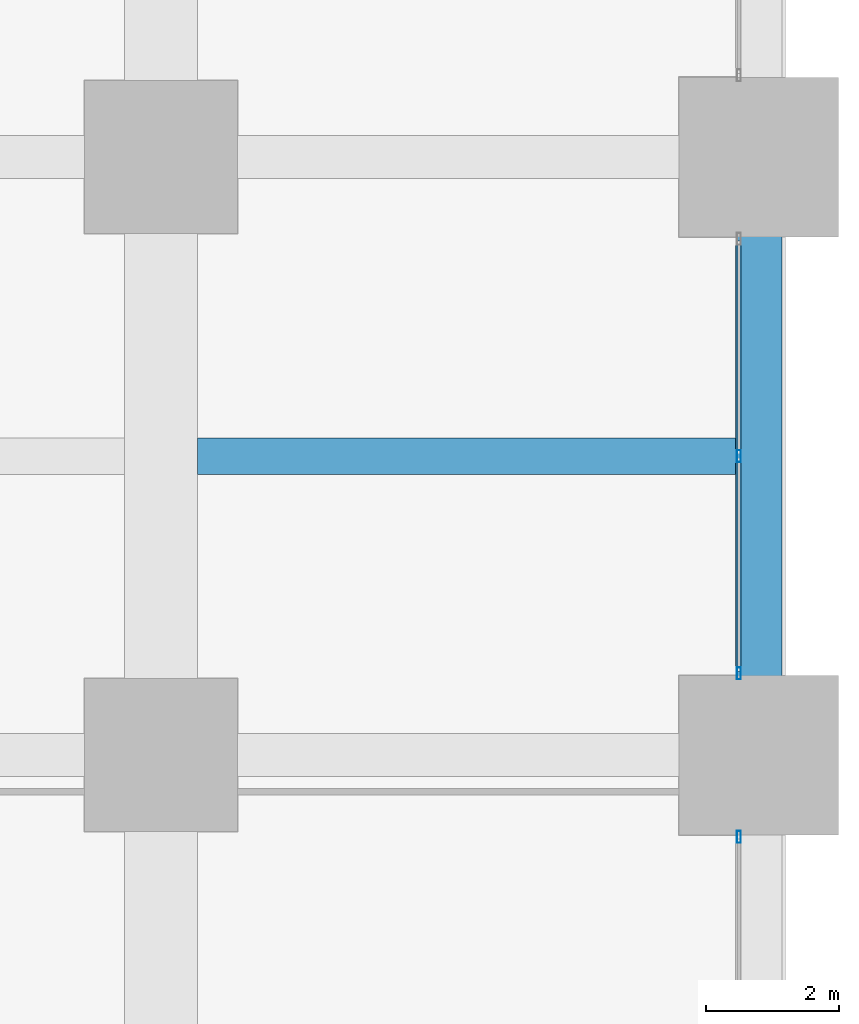
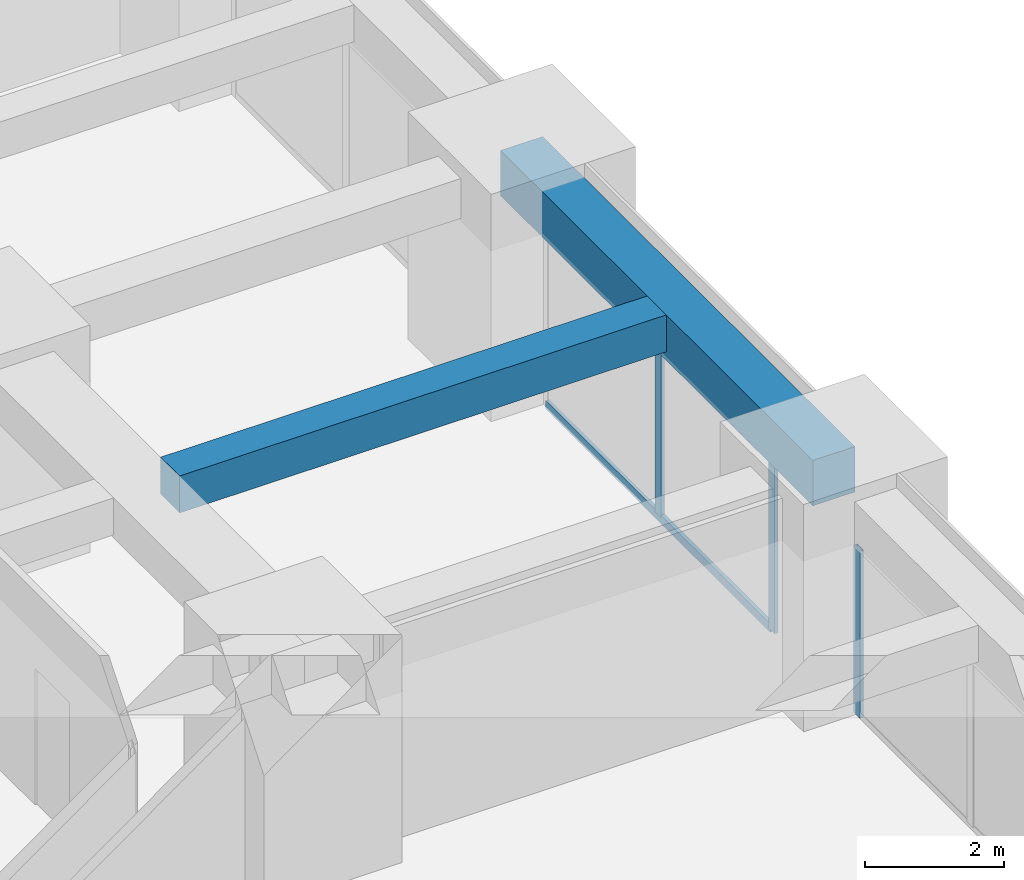
# One storey, part 20 of 44: 4 members, 2 beams, 2 elements without a shape of their own.
"""IFC4 building model written with IfcOpenShell, lengths in metres."""

from ifc_helpers import new_model, si_unit, direction, frame, origin, origin_2d, place, context, subcontext, project, spatial, rectangle, hollow_rectangle, extrude, material, material_profile, profile_set, type_object, element, aggregate, save


model = new_model("IFC4")

# Units and contexts
model_context = context("Model", 3, precision=1e-05, world=origin(), true_north=direction((0.0, 1.0)))
body_context = subcontext(model_context, "Body", "Model", "MODEL_VIEW")
ifc_project = project(units=[si_unit("LENGTHUNIT", "METRE"), si_unit("AREAUNIT", "SQUARE_METRE"), si_unit("VOLUMEUNIT", "CUBIC_METRE"), si_unit("PLANEANGLEUNIT", "RADIAN"), si_unit("MASSUNIT", "GRAM", prefix="KILO")], contexts=[model_context])

# Site, building, storey
site_placement = place(None, origin())
site = spatial("IfcSite", under=ifc_project, at=site_placement, CompositionType="ELEMENT")
building_placement = place(site_placement, origin())
building = spatial("IfcBuilding", under=site, at=building_placement, Name="Zorevar Civic Tower", CompositionType="ELEMENT")
storey_placement = place(building_placement, frame((0.0, 0.0, 43.800048828125)))
storey = spatial("IfcBuildingStorey", under=building, at=storey_placement, Name="L10", CompositionType="ELEMENT", Elevation=43.800048828125)

# Beam
ifc_material_1 = material(Name="Concrete C50/60", Category="concrete")
ifc_material_profile_1 = material_profile(ifc_material_1, rectangle(XDim=0.550048828125, YDim=0.64990234375, at=origin_2d()), Name="RC 550x650")
ifc_profile_set_1 = profile_set([ifc_material_profile_1], Name="Concrete C50/60")
beam_type_1 = type_object("IfcBeamType", Name="Beam RC 550x650", PredefinedType="BEAM", material=ifc_profile_set_1)
beam_1_placement = place(storey_placement, frame((54.550048828125, 22.5, 3.425048828125), z_axis=(1.0, 0.0, 0.0), x_axis=(0.0, 1.0, 0.0)))
element("IfcBeam", 1, at=beam_1_placement, inside=storey, type_object=beam_type_1, Name="Secondary beam L11", PredefinedType="BEAM", context=body_context, shape_type="SweptSolid", body=[
    extrude(rectangle(XDim=0.550048828125, YDim=0.64990234375, at=origin_2d()), origin(), (0.0, 0.0, 1.0), 8.099853515625),
])

# Curtain wall, member
ifc_material_2 = material(Name="Dark grey solar-control glass in black aluminium frame", Category="aluminium")
curtain_wall_type = type_object("IfcCurtainWallType", Name="Curtain wall CW2 low zone", PredefinedType="NOTDEFINED", material=ifc_material_2)
curtain_wall_1_placement = place(storey_placement, origin())
curtain_wall_1 = element("IfcCurtainWall", 2, at=curtain_wall_1_placement, inside=storey, type_object=curtain_wall_type, Name="CW2 L10", PredefinedType="NOTDEFINED")
ifc_material_3 = material(Name="Aluminium, black anodised", Category="aluminium")
ifc_material_profile_2 = material_profile(ifc_material_3, hollow_rectangle(XDim=0.06005859375, YDim=0.179931640625, WallThickness=0.00390625, at=origin_2d()), Name="AL 180x60x4")
ifc_profile_set_2 = profile_set([ifc_material_profile_2], Name="Aluminium, black anodised")
member_type_1 = type_object("IfcMemberType", Name="CW2 mullion AL 180x60x4", PredefinedType="MULLION", material=ifc_profile_set_2)
member_1_placement = place(storey_placement, frame((62.699951171875, 16.77001953125, 0.0), z_axis=(0.0, 0.0, 1.0), x_axis=(-1.0, 0.0, 0.0)))
member_1 = element("IfcMember", 3, at=member_1_placement, type_object=member_type_1, Name="CW2 mullion 3", PredefinedType="MULLION", context=body_context, shape_type="SweptSolid", body=[
    extrude(hollow_rectangle(XDim=0.06005859375, YDim=0.179931640625, WallThickness=0.00390625, at=origin_2d()), origin(), (0.0, 0.0, 1.0), 2.949951171875),
])
aggregate(curtain_wall_1, [member_1])

# Curtain wall, members
curtain_wall_2_placement = place(storey_placement, origin())
curtain_wall_2 = element("IfcCurtainWall", 4, at=curtain_wall_2_placement, inside=storey, type_object=curtain_wall_type, Name="CW2 L10", PredefinedType="NOTDEFINED")
member_2_placement = place(storey_placement, frame((62.699951171875, 19.22998046875, 0.0), z_axis=(0.0, 0.0, 1.0), x_axis=(-1.0, 0.0, 0.0)))
member_2 = element("IfcMember", 5, at=member_2_placement, type_object=member_type_1, Name="CW2 mullion 1", PredefinedType="MULLION", context=body_context, shape_type="SweptSolid", body=[
    extrude(hollow_rectangle(XDim=0.06005859375, YDim=0.179931640625, WallThickness=0.00390625, at=origin_2d()), origin(), (0.0, 0.0, 1.0), 2.949951171875),
])
member_3_placement = place(storey_placement, frame((62.699951171875, 22.5, 0.06005859375), z_axis=(0.0, 0.0, 1.0), x_axis=(-1.0, 0.0, 0.0)))
member_3 = element("IfcMember", 6, at=member_3_placement, type_object=member_type_1, Name="CW2 mullion 2", PredefinedType="MULLION", context=body_context, shape_type="SweptSolid", body=[
    extrude(hollow_rectangle(XDim=0.06005859375, YDim=0.179931640625, WallThickness=0.00390625, at=origin_2d()), origin(), (0.0, 0.0, 1.0), 2.889892578125),
])
ifc_material_4 = material(Name="Aluminium, black anodised", Category="aluminium")
ifc_material_profile_3 = material_profile(ifc_material_4, hollow_rectangle(XDim=0.06005859375, YDim=0.14990234375, WallThickness=0.00390625, at=origin_2d()), Name="AL 150x60x4")
ifc_profile_set_3 = profile_set([ifc_material_profile_3], Name="Aluminium, black anodised")
member_type_2 = type_object("IfcMemberType", Name="CW2 transom AL 150x60x4", PredefinedType="USERDEFINED", material=ifc_profile_set_3)
member_4_placement = place(storey_placement, frame((62.699951171875, 19.260009765625, 0.030029296875), z_axis=(0.0, 1.0, 0.0), x_axis=(-1.0, 0.0, 0.0)))
member_4 = element("IfcMember", 7, at=member_4_placement, type_object=member_type_2, Name="CW2 sill transom", ObjectType="TRANSOM", PredefinedType="USERDEFINED", context=body_context, shape_type="SweptSolid", body=[
    extrude(hollow_rectangle(XDim=0.06005859375, YDim=0.14990234375, WallThickness=0.00390625, at=origin_2d()), origin(), (0.0, 0.0, 1.0), 6.47998046875),
])
aggregate(curtain_wall_2, [member_2, member_3, member_4])

# Beam
ifc_material_5 = material(Name="Concrete C50/60", Category="concrete")
ifc_material_profile_4 = material_profile(ifc_material_5, rectangle(XDim=0.699951171875, YDim=0.800048828125, at=origin_2d()), Name="RC 700x800")
ifc_profile_set_4 = profile_set([ifc_material_profile_4], Name="Concrete C50/60")
beam_type_2 = type_object("IfcBeamType", Name="Edge beam RC 700x800", PredefinedType="SPANDREL", material=ifc_profile_set_4)
beam_2_placement = place(storey_placement, frame((63.0, 18.0, 3.349853515625), z_axis=(0.0, 1.0, 0.0), x_axis=(-1.0, 0.0, 0.0)))
element("IfcBeam", 8, at=beam_2_placement, inside=storey, type_object=beam_type_2, Name="Edge beam L11", PredefinedType="SPANDREL", context=body_context, shape_type="SweptSolid", body=[
    extrude(rectangle(XDim=0.699951171875, YDim=0.800048828125, at=origin_2d()), origin(), (0.0, 0.0, 1.0), 9.0),
])

save(model, "model.ifc")
